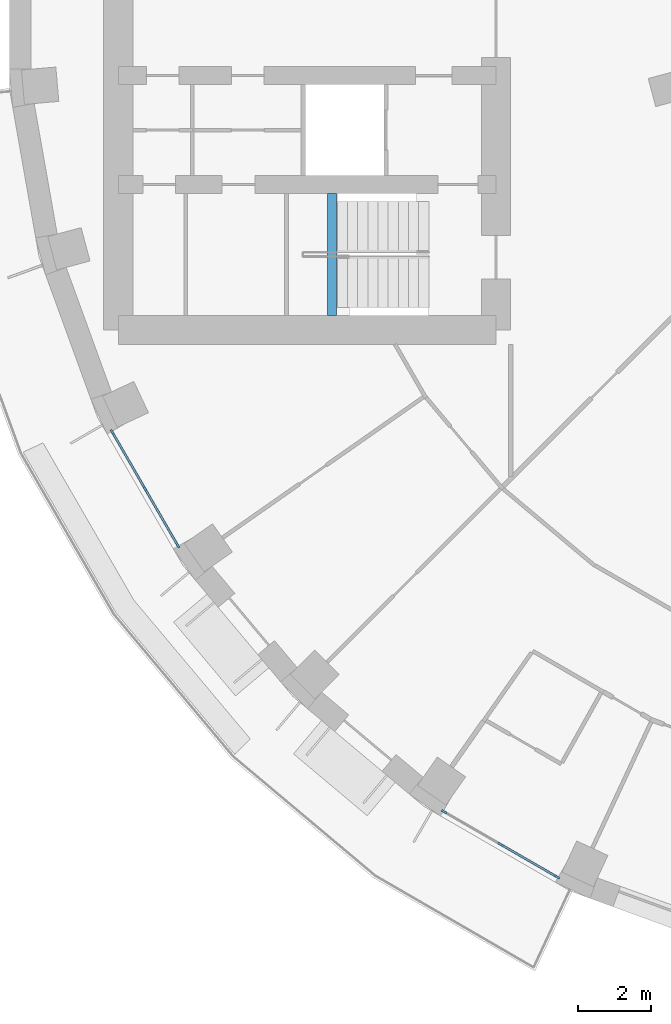
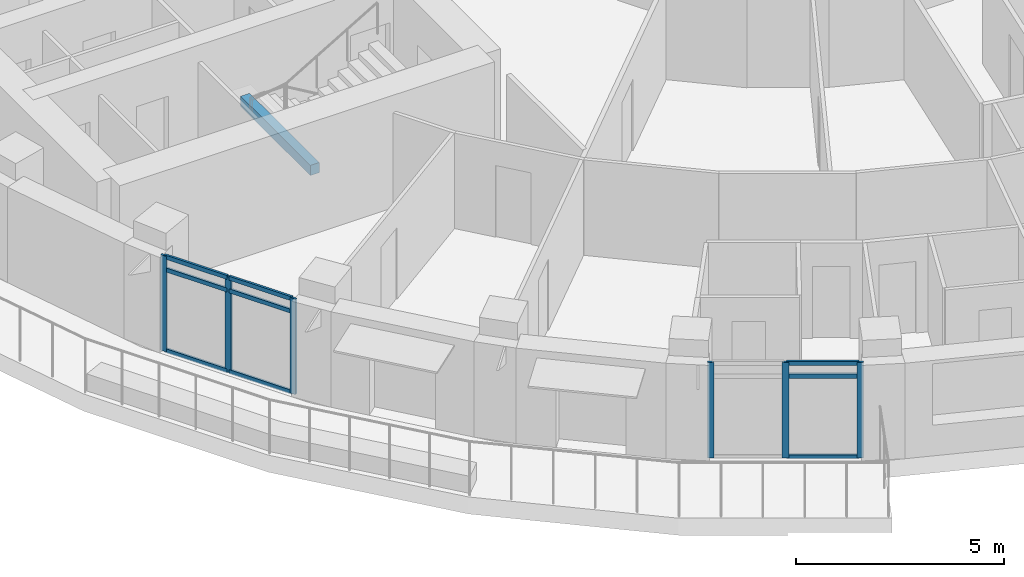
# One storey, part 2 of 16: 15 members, 1 beam, 2 elements without a shape of their own.
"""IFC4 building model written with IfcOpenShell, lengths in metres."""

from ifc_helpers import new_model, si_unit, direction, frame, origin, origin_2d, place, context, subcontext, project, spatial, rectangle, extrude, material, layer, layer_set, material_profile, profile_set, type_object, element, aggregate, save


model = new_model("IFC4")

# Units and contexts
model_context = context("Model", 3, precision=1e-05, world=origin(), true_north=direction((0.0, 1.0)))
body_context = subcontext(model_context, "Body", "Model", "MODEL_VIEW")
ifc_project = project(units=[si_unit("LENGTHUNIT", "METRE"), si_unit("AREAUNIT", "SQUARE_METRE"), si_unit("VOLUMEUNIT", "CUBIC_METRE"), si_unit("PLANEANGLEUNIT", "RADIAN"), si_unit("MASSUNIT", "GRAM", prefix="KILO")], contexts=[model_context])

# Site, building, storey
site_placement = place(None, origin())
site = spatial("IfcSite", under=ifc_project, at=site_placement, CompositionType="ELEMENT")
building_placement = place(site_placement, origin())
building = spatial("IfcBuilding", under=site, at=building_placement, Name="Saqina Gate Tower", CompositionType="ELEMENT")
storey_placement = place(building_placement, frame((0.0, 0.0, 124.89990234375)))
storey = spatial("IfcBuildingStorey", under=building, at=storey_placement, Name="L35", CompositionType="ELEMENT", Elevation=124.89990234375)

# Curtain wall, members
ifc_material_1 = material(Name="Aluminium glazing", Category="aluminium")
ifc_layer = layer(ifc_material_1, 0.159912109375)
ifc_layer_set = layer_set([ifc_layer], Name="CWT-4")
curtain_wall_type = type_object("IfcCurtainWallType", Name="CWT-4", PredefinedType="NOTDEFINED", material=ifc_layer_set)
curtain_wall_1_placement = place(storey_placement, origin())
curtain_wall_1 = element("IfcCurtainWall", 1, at=curtain_wall_1_placement, inside=storey, type_object=curtain_wall_type, Name="Terrace lounge glazing facet 21", PredefinedType="NOTDEFINED")
ifc_material_2 = material(Name="Aluminium", Category="aluminium")
ifc_material_profile_1 = material_profile(ifc_material_2, rectangle(XDim=0.06005859375, YDim=0.159912109375, at=origin_2d()), Name="Aluminium 60x160")
ifc_profile_set_1 = profile_set([ifc_material_profile_1], Name="Aluminium")
member_type_1 = type_object("IfcMemberType", Name="CWT-4M", PredefinedType="MULLION", material=ifc_profile_set_1)
member_1_placement = place(storey_placement, frame((-24.060791015625, -11.820068359375, 0.0), z_axis=(0.0, 0.0, 1.0), x_axis=(0.86602626266, 0.499998512381, 0.0)))
member_1 = element("IfcMember", 2, at=member_1_placement, type_object=member_type_1, Name="CW4-21 mullion 1", PredefinedType="MULLION", context=body_context, shape_type="SweptSolid", body=[
    extrude(rectangle(XDim=0.06005859375, YDim=0.159912109375, at=origin_2d()), origin(), (0.0, 0.0, 1.0), 2.800048828125),
])
member_2_placement = place(storey_placement, frame((-23.163818359375, -13.37353515625, 0.0), z_axis=(0.0, 0.0, 1.0), x_axis=(0.86602626266, 0.499998512381, 0.0)))
member_2 = element("IfcMember", 3, at=member_2_placement, type_object=member_type_1, Name="CW4-21 mullion 2", PredefinedType="MULLION", context=body_context, shape_type="SweptSolid", body=[
    extrude(rectangle(XDim=0.06005859375, YDim=0.159912109375, at=origin_2d()), origin(), (0.0, 0.0, 1.0), 2.800048828125),
])
member_3_placement = place(storey_placement, frame((-22.266845703125, -14.92724609375, 0.0), z_axis=(0.0, 0.0, 1.0), x_axis=(0.86602626266, 0.499998512381, 0.0)))
member_3 = element("IfcMember", 4, at=member_3_placement, type_object=member_type_1, Name="CW4-21 mullion 3", PredefinedType="MULLION", context=body_context, shape_type="SweptSolid", body=[
    extrude(rectangle(XDim=0.06005859375, YDim=0.159912109375, at=origin_2d()), origin(), (0.0, 0.0, 1.0), 2.800048828125),
])

curtain_wall_2_placement = place(storey_placement, origin())
curtain_wall_2 = element("IfcCurtainWall", 5, at=curtain_wall_2_placement, inside=storey, type_object=curtain_wall_type, Name="Terrace lounge glazing facet 24", PredefinedType="NOTDEFINED")
member_4_placement = place(storey_placement, frame((-14.92724609375, -22.266845703125, 0.0), z_axis=(0.0, 0.0, 1.0), x_axis=(0.499998512381, 0.86602626266, 0.0)))
member_4 = element("IfcMember", 6, at=member_4_placement, type_object=member_type_1, Name="CW4-24 mullion 1", PredefinedType="MULLION", context=body_context, shape_type="SweptSolid", body=[
    extrude(rectangle(XDim=0.06005859375, YDim=0.159912109375, at=origin_2d()), origin(), (0.0, 0.0, 1.0), 2.800048828125),
])
member_5_placement = place(storey_placement, frame((-13.37353515625, -23.163818359375, 0.0), z_axis=(0.0, 0.0, 1.0), x_axis=(0.499998512381, 0.86602626266, 0.0)))
member_5 = element("IfcMember", 7, at=member_5_placement, type_object=member_type_1, Name="CW4-24 mullion 2", PredefinedType="MULLION", context=body_context, shape_type="SweptSolid", body=[
    extrude(rectangle(XDim=0.06005859375, YDim=0.159912109375, at=origin_2d()), origin(), (0.0, 0.0, 1.0), 2.800048828125),
])
member_6_placement = place(storey_placement, frame((-11.820068359375, -24.060791015625, 0.0), z_axis=(0.0, 0.0, 1.0), x_axis=(0.499998512381, 0.86602626266, 0.0)))
member_6 = element("IfcMember", 8, at=member_6_placement, type_object=member_type_1, Name="CW4-24 mullion 3", PredefinedType="MULLION", context=body_context, shape_type="SweptSolid", body=[
    extrude(rectangle(XDim=0.06005859375, YDim=0.159912109375, at=origin_2d()), origin(), (0.0, 0.0, 1.0), 2.800048828125),
])

# Member
ifc_material_3 = material(Name="Aluminium", Category="aluminium")
ifc_material_profile_2 = material_profile(ifc_material_3, rectangle(XDim=0.06005859375, YDim=0.1201171875, at=origin_2d()), Name="Aluminium 60x120")
ifc_profile_set_2 = profile_set([ifc_material_profile_2], Name="Aluminium")
member_type_2 = type_object("IfcMemberType", Name="CWT-4T", PredefinedType="USERDEFINED", material=ifc_profile_set_2)
member_7_placement = place(storey_placement, frame((-24.0458984375, -11.845947265625, 0.030029296875), z_axis=(0.49997027332, -0.866042565811, 0.0), x_axis=(0.866042565811, 0.49997027332, 0.0)))
member_7 = element("IfcMember", 9, at=member_7_placement, type_object=member_type_2, Name="CW4-21 transom 1.1", ObjectType="TRANSOM", PredefinedType="USERDEFINED", context=body_context, shape_type="SweptSolid", body=[
    extrude(rectangle(XDim=0.06005859375, YDim=0.1201171875, at=origin_2d()), origin(), (0.0, 0.0, 1.0), 1.73388671875),
])

member_8_placement = place(storey_placement, frame((-24.0458984375, -11.845947265625, 2.400146484375), z_axis=(0.49997027332, -0.866042565811, 0.0), x_axis=(0.866042565811, 0.49997027332, 0.0)))
member_8 = element("IfcMember", 10, at=member_8_placement, type_object=member_type_2, Name="CW4-21 transom 1.2", ObjectType="TRANSOM", PredefinedType="USERDEFINED", context=body_context, shape_type="SweptSolid", body=[
    extrude(rectangle(XDim=0.06005859375, YDim=0.1201171875, at=origin_2d()), origin(), (0.0, 0.0, 1.0), 1.73388671875),
])

member_9_placement = place(storey_placement, frame((-24.0458984375, -11.845947265625, 2.77001953125), z_axis=(0.49997027332, -0.866042565811, 0.0), x_axis=(0.866042565811, 0.49997027332, 0.0)))
member_9 = element("IfcMember", 11, at=member_9_placement, type_object=member_type_2, Name="CW4-21 transom 1.3", ObjectType="TRANSOM", PredefinedType="USERDEFINED", context=body_context, shape_type="SweptSolid", body=[
    extrude(rectangle(XDim=0.06005859375, YDim=0.1201171875, at=origin_2d()), origin(), (0.0, 0.0, 1.0), 1.73388671875),
])

member_10_placement = place(storey_placement, frame((-23.14892578125, -13.399658203125, 0.030029296875), z_axis=(0.500031244004, -0.866007364299, 0.0), x_axis=(0.866007364299, 0.500031244004, 0.0)))
member_10 = element("IfcMember", 12, at=member_10_placement, type_object=member_type_2, Name="CW4-21 transom 2.1", ObjectType="TRANSOM", PredefinedType="USERDEFINED", context=body_context, shape_type="SweptSolid", body=[
    extrude(rectangle(XDim=0.06005859375, YDim=0.1201171875, at=origin_2d()), origin(), (0.0, 0.0, 1.0), 1.73388671875),
])

member_11_placement = place(storey_placement, frame((-23.14892578125, -13.399658203125, 2.400146484375), z_axis=(0.500031244004, -0.866007364299, 0.0), x_axis=(0.866007364299, 0.500031244004, 0.0)))
member_11 = element("IfcMember", 13, at=member_11_placement, type_object=member_type_2, Name="CW4-21 transom 2.2", ObjectType="TRANSOM", PredefinedType="USERDEFINED", context=body_context, shape_type="SweptSolid", body=[
    extrude(rectangle(XDim=0.06005859375, YDim=0.1201171875, at=origin_2d()), origin(), (0.0, 0.0, 1.0), 1.73388671875),
])

member_12_placement = place(storey_placement, frame((-23.14892578125, -13.399658203125, 2.77001953125), z_axis=(0.500031244004, -0.866007364299, 0.0), x_axis=(0.866007364299, 0.500031244004, 0.0)))
member_12 = element("IfcMember", 14, at=member_12_placement, type_object=member_type_2, Name="CW4-21 transom 2.3", ObjectType="TRANSOM", PredefinedType="USERDEFINED", context=body_context, shape_type="SweptSolid", body=[
    extrude(rectangle(XDim=0.06005859375, YDim=0.1201171875, at=origin_2d()), origin(), (0.0, 0.0, 1.0), 1.73388671875),
])

aggregate(curtain_wall_1, [member_1, member_2, member_3, member_7, member_8, member_9, member_10, member_11, member_12])

member_13_placement = place(storey_placement, frame((-13.34765625, -23.178955078125, 0.030029296875), z_axis=(0.866042565811, -0.49997027332, 0.0), x_axis=(0.49997027332, 0.866042565811, 0.0)))
member_13 = element("IfcMember", 15, at=member_13_placement, type_object=member_type_2, Name="CW4-24 transom 2.1", ObjectType="TRANSOM", PredefinedType="USERDEFINED", context=body_context, shape_type="SweptSolid", body=[
    extrude(rectangle(XDim=0.06005859375, YDim=0.1201171875, at=origin_2d()), origin(), (0.0, 0.0, 1.0), 1.73388671875),
])

member_14_placement = place(storey_placement, frame((-13.34765625, -23.178955078125, 2.400146484375), z_axis=(0.866042565811, -0.49997027332, 0.0), x_axis=(0.49997027332, 0.866042565811, 0.0)))
member_14 = element("IfcMember", 16, at=member_14_placement, type_object=member_type_2, Name="CW4-24 transom 2.2", ObjectType="TRANSOM", PredefinedType="USERDEFINED", context=body_context, shape_type="SweptSolid", body=[
    extrude(rectangle(XDim=0.06005859375, YDim=0.1201171875, at=origin_2d()), origin(), (0.0, 0.0, 1.0), 1.73388671875),
])

member_15_placement = place(storey_placement, frame((-13.34765625, -23.178955078125, 2.77001953125), z_axis=(0.866042565811, -0.49997027332, 0.0), x_axis=(0.49997027332, 0.866042565811, 0.0)))
member_15 = element("IfcMember", 17, at=member_15_placement, type_object=member_type_2, Name="CW4-24 transom 2.3", ObjectType="TRANSOM", PredefinedType="USERDEFINED", context=body_context, shape_type="SweptSolid", body=[
    extrude(rectangle(XDim=0.06005859375, YDim=0.1201171875, at=origin_2d()), origin(), (0.0, 0.0, 1.0), 1.73388671875),
])

aggregate(curtain_wall_2, [member_4, member_5, member_6, member_13, member_14, member_15])

# Beam
ifc_material_4 = material(Name="Concrete C40/50", Category="concrete")
ifc_material_profile_3 = material_profile(ifc_material_4, rectangle(XDim=0.25, YDim=0.300048828125, at=origin_2d()), Name="STAIR LANDING BEAM")
ifc_profile_set_3 = profile_set([ifc_material_profile_3], Name="Concrete C40/50")
beam_type = type_object("IfcBeamType", Name="STAIR LANDING BEAM", PredefinedType="BEAM", material=ifc_profile_set_3)
beam_placement = place(storey_placement, frame((-18.02001953125, -8.60009765625, 1.25), z_axis=(0.0, 1.0, 0.0), x_axis=(-1.0, 0.0, 0.0)))
element("IfcBeam", 18, at=beam_placement, inside=storey, type_object=beam_type, Name="EXIT STAIR 4 LANDING BEAM", PredefinedType="BEAM", context=body_context, shape_type="SweptSolid", body=[
    extrude(rectangle(XDim=0.25, YDim=0.300048828125, at=origin_2d()), origin(), (0.0, 0.0, 1.0), 3.35009765625),
])

save(model, "model.ifc")
